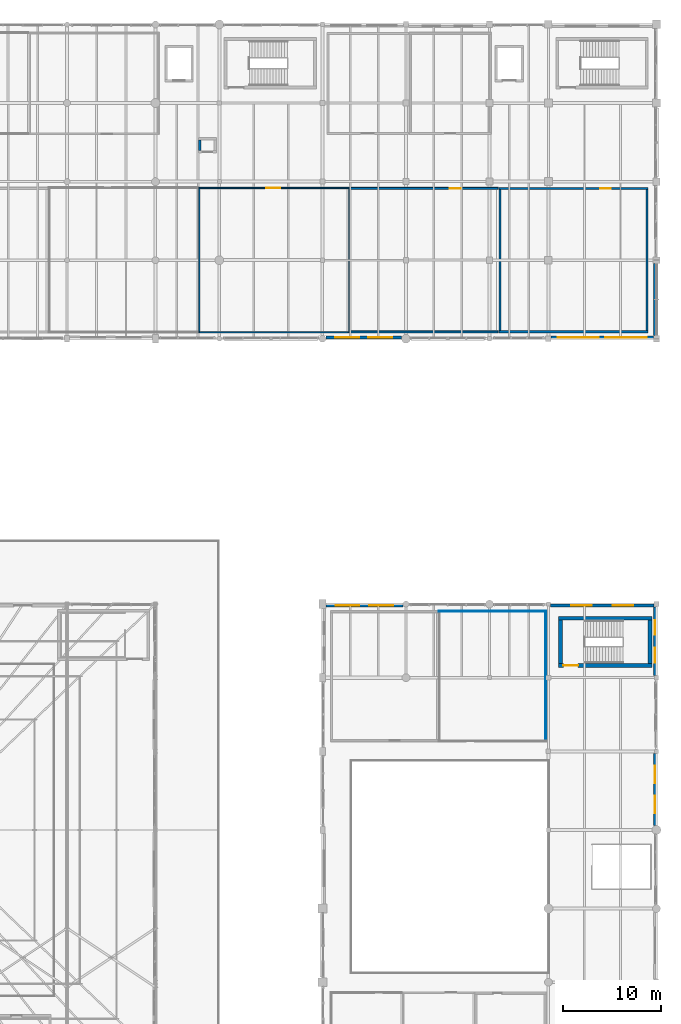
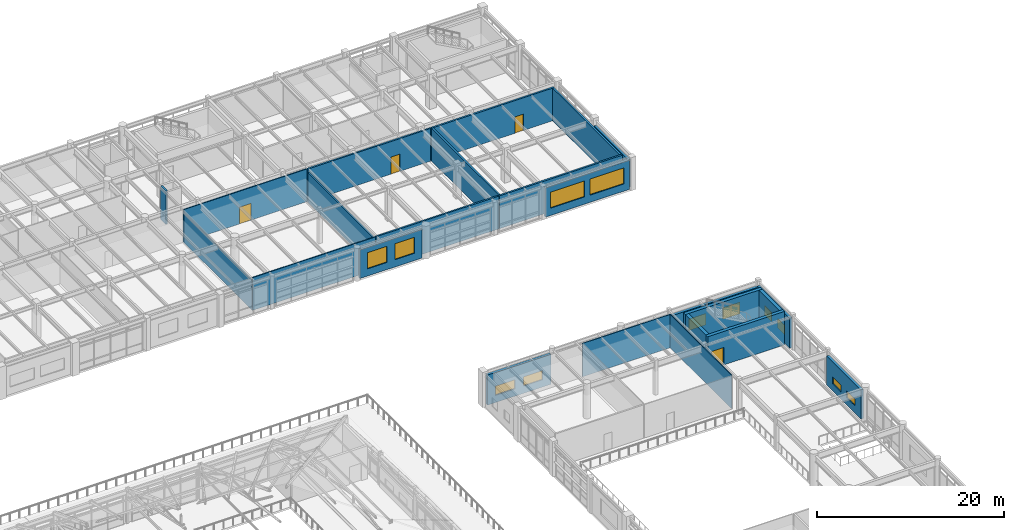
# One storey, part 156 of 168: 24 walls, 12 windows, 4 doors, 16 openings.
"""IFC4 building model written with IfcOpenShell, lengths in metres."""

from ifc_helpers import new_model, si_unit, direction, frame, frame_2d, origin, place, context, subcontext, project, spatial, rectangle, extrude, material, layer, layer_set, type_object, element, fill, save


model = new_model("IFC4")

# Units and contexts
model_context = context("Model", 3, precision=1e-05, world=origin(), true_north=direction((0.0, 1.0)))
body_context = subcontext(model_context, "Body", "Model", "MODEL_VIEW")
ifc_project = project(units=[si_unit("LENGTHUNIT", "METRE"), si_unit("AREAUNIT", "SQUARE_METRE"), si_unit("VOLUMEUNIT", "CUBIC_METRE"), si_unit("PLANEANGLEUNIT", "RADIAN"), si_unit("MASSUNIT", "GRAM", prefix="KILO"), si_unit("THERMODYNAMICTEMPERATUREUNIT", "KELVIN"), si_unit("POWERUNIT", "WATT")], contexts=[model_context])

# Site, building, storey
site_placement = place(None, origin())
site = spatial("IfcSite", under=ifc_project, at=site_placement, CompositionType="ELEMENT")
building_placement = place(site_placement, origin())
building = spatial("IfcBuilding", under=site, at=building_placement, Name="Tepalcoro Natatorium and Aquatics Centre", CompositionType="ELEMENT")
storey_placement = place(building_placement, frame((0.0, 0.0, 10.199951171875)))
storey = spatial("IfcBuildingStorey", under=building, at=storey_placement, Name="L02", CompositionType="ELEMENT", Elevation=10.199951171875)

# Wall, openings, windows
ifc_material_1 = material(Name="Precast Concrete C45/55 (fc 45 MPa)", Category="concrete")
ifc_layer_1 = layer(ifc_material_1, 0.260009765625)
ifc_layer_set_1 = layer_set([ifc_layer_1], Name="Precast Concrete C45/55 (fc 45 MPa)")
wall_type_1 = type_object("IfcWallType", Name="WL_EXT_GABLE_260", PredefinedType="SOLIDWALL", material=ifc_layer_set_1)
wall_1_placement = place(storey_placement, frame((142.35400390625, 86.1298828125, 0.0), z_axis=(0.0, 0.0, 1.0), x_axis=(1.0, 0.0, 0.0)))
wall_1 = element("IfcWall", 1, at=wall_1_placement, inside=storey, type_object=wall_type_1, Name="V5 L02 S Volcanic Basalt Envelope Wall", PredefinedType="SOLIDWALL", context=body_context, shape_type="SweptSolid", body=[
    extrude(rectangle(XDim=7.69189453125, YDim=0.260009765625, at=frame_2d((3.845947265625, 0.0))), origin(), (0.0, 0.0, 1.0), 3.734130859375),
])
opening_1_placement = place(wall_1_placement, frame((0.964111328125, 0.0, 0.949951171875)))
opening_1 = element("IfcOpeningElement", 2, at=opening_1_placement, cuts=wall_1, Name="Opening W0098A", PredefinedType="OPENING", context=body_context, shape_type="SweptSolid", body=[
    extrude(rectangle(XDim=2.39990234375, YDim=2.10009765625, at=frame_2d((1.199951171875, 1.050048828125))), frame((0.0, 0.14208984375, 0.0), z_axis=(0.0, -1.0, 0.0), x_axis=(1.0, 0.0, 0.0)), (0.0, 0.0, 1.0), 0.283935546875),
])
opening_2_placement = place(wall_1_placement, frame((4.327880859375, 0.0, 0.949951171875)))
opening_2 = element("IfcOpeningElement", 3, at=opening_2_placement, cuts=wall_1, Name="Opening W0098B", PredefinedType="OPENING", context=body_context, shape_type="SweptSolid", body=[
    extrude(rectangle(XDim=2.39990234375, YDim=2.10009765625, at=frame_2d((1.199951171875, 1.050048828125))), frame((0.0, 0.14208984375, 0.0), z_axis=(0.0, -1.0, 0.0), x_axis=(1.0, 0.0, 0.0)), (0.0, 0.0, 1.0), 0.283935546875),
])
ifc_material_2 = material(Name="Solar-Control Bronze Tempered Low-E Double Glazing", Category="glass")
window_type_1 = type_object("IfcWindowType", Name="WN_240x210", PartitioningType="SINGLE_PANEL", PredefinedType="WINDOW", material=ifc_material_2)
window_1_placement = place(opening_1_placement, origin())
window_1 = element("IfcWindow", 4, at=window_1_placement, inside=storey, type_object=window_type_1, Name="Exterior Thermal Window WN_240x210", OverallHeight=2.10009765625, OverallWidth=2.39990234375, PartitioningType="SINGLE_PANEL", PredefinedType="WINDOW", context=body_context, shape_type="SweptSolid", body=[
    extrude(rectangle(XDim=2.39990234375, YDim=2.10009765625, at=frame_2d((1.199951171875, 1.050048828125))), frame((0.0, 0.030029296875, 0.0), z_axis=(0.0, -1.0, 0.0), x_axis=(1.0, 0.0, 0.0)), (0.0, 0.0, 1.0), 0.06005859375),
])
fill(opening_1, window_1)
window_2_placement = place(opening_2_placement, origin())
window_2 = element("IfcWindow", 5, at=window_2_placement, inside=storey, type_object=window_type_1, Name="Exterior Thermal Window WN_240x210", OverallHeight=2.10009765625, OverallWidth=2.39990234375, PartitioningType="SINGLE_PANEL", PredefinedType="WINDOW", context=body_context, shape_type="SweptSolid", body=[
    extrude(rectangle(XDim=2.39990234375, YDim=2.10009765625, at=frame_2d((1.199951171875, 1.050048828125))), frame((0.0, 0.030029296875, 0.0), z_axis=(0.0, -1.0, 0.0), x_axis=(1.0, 0.0, 0.0)), (0.0, 0.0, 1.0), 0.06005859375),
])
fill(opening_2, window_2)

ifc_layer_2 = layer(ifc_material_1, 0.284912109375)
ifc_layer_set_2 = layer_set([ifc_layer_2], Name="Precast Concrete C45/55 (fc 45 MPa)")
wall_type_2 = type_object("IfcWallType", Name="WL_EXT_INSUL_280", PredefinedType="SOLIDWALL", material=ifc_layer_set_2)
wall_2_placement = place(storey_placement, frame((165.279052734375, 86.142578125, 0.0), z_axis=(0.0, 0.0, 1.0), x_axis=(1.0, 0.0, 0.0)))
wall_2 = element("IfcWall", 6, at=wall_2_placement, inside=storey, type_object=wall_type_2, Name="V5 L02 S Volcanic Basalt Envelope Wall", PredefinedType="SOLIDWALL", context=body_context, shape_type="SweptSolid", body=[
    extrude(rectangle(XDim=10.391845703125, YDim=0.284912109375, at=frame_2d((5.19580078125, 0.0))), origin(), (0.0, 0.0, 1.0), 3.81005859375),
])
opening_3_placement = place(wall_2_placement, frame((0.6640625, 0.0, 0.949951171875)))
opening_3 = element("IfcOpeningElement", 7, at=opening_3_placement, cuts=wall_2, Name="Opening W0099A", PredefinedType="OPENING", context=body_context, shape_type="SweptSolid", body=[
    extrude(rectangle(XDim=4.199951171875, YDim=2.10009765625, at=frame_2d((2.10009765625, 1.050048828125))), frame((0.0, 0.154296875, 0.0), z_axis=(0.0, -1.0, 0.0), x_axis=(1.0, 0.0, 0.0)), (0.0, 0.0, 1.0), 0.308837890625),
])
opening_4_placement = place(wall_2_placement, frame((5.528076171875, 0.0, 0.949951171875)))
opening_4 = element("IfcOpeningElement", 8, at=opening_4_placement, cuts=wall_2, Name="Opening W0099B", PredefinedType="OPENING", context=body_context, shape_type="SweptSolid", body=[
    extrude(rectangle(XDim=4.199951171875, YDim=2.10009765625, at=frame_2d((2.10009765625, 1.050048828125))), frame((0.0, 0.154296875, 0.0), z_axis=(0.0, -1.0, 0.0), x_axis=(1.0, 0.0, 0.0)), (0.0, 0.0, 1.0), 0.308837890625),
])
window_type_2 = type_object("IfcWindowType", Name="WN_420x210", PartitioningType="SINGLE_PANEL", PredefinedType="WINDOW", material=ifc_material_2)
window_3_placement = place(opening_3_placement, origin())
window_3 = element("IfcWindow", 9, at=window_3_placement, inside=storey, type_object=window_type_2, Name="Exterior Thermal Window WN_420x210", OverallHeight=2.10009765625, OverallWidth=4.199951171875, PartitioningType="SINGLE_PANEL", PredefinedType="WINDOW", context=body_context, shape_type="SweptSolid", body=[
    extrude(rectangle(XDim=4.199951171875, YDim=2.10009765625, at=frame_2d((2.10009765625, 1.050048828125))), frame((0.0, 0.030029296875, 0.0), z_axis=(0.0, -1.0, 0.0), x_axis=(1.0, 0.0, 0.0)), (0.0, 0.0, 1.0), 0.06005859375),
])
fill(opening_3, window_3)
window_4_placement = place(opening_4_placement, origin())
window_4 = element("IfcWindow", 10, at=window_4_placement, inside=storey, type_object=window_type_2, Name="Exterior Thermal Window WN_420x210", OverallHeight=2.10009765625, OverallWidth=4.199951171875, PartitioningType="SINGLE_PANEL", PredefinedType="WINDOW", context=body_context, shape_type="SweptSolid", body=[
    extrude(rectangle(XDim=4.199951171875, YDim=2.10009765625, at=frame_2d((2.10009765625, 1.050048828125))), frame((0.0, 0.030029296875, 0.0), z_axis=(0.0, -1.0, 0.0), x_axis=(1.0, 0.0, 0.0)), (0.0, 0.0, 1.0), 0.06005859375),
])
fill(opening_4, window_4)

ifc_material_3 = material(Name="Jalisco Cantera Rosa Volcanic Tuff Ashlar Masonry", Category="masonry")
ifc_layer_3 = layer(ifc_material_3, 0.320068359375)
ifc_layer_set_3 = layer_set([ifc_layer_3], Name="Jalisco Cantera Rosa Volcanic Tuff Ashlar Masonry")
wall_type_3 = type_object("IfcWallType", Name="WL_EXT_STONE_320", PredefinedType="SOLIDWALL", material=ifc_layer_set_3)
wall_3_placement = place(storey_placement, frame((165.2041015625, 58.840087890625, 0.0), z_axis=(0.0, 0.0, 1.0), x_axis=(1.0, 0.0, 0.0)))
wall_3 = element("IfcWall", 11, at=wall_3_placement, inside=storey, type_object=wall_type_3, Name="V2 L02 N Volcanic Basalt Envelope Wall", PredefinedType="SOLIDWALL", context=body_context, shape_type="SweptSolid", body=[
    extrude(rectangle(XDim=10.5419921875, YDim=0.320068359375, at=frame_2d((5.27099609375, 0.0))), origin(), (0.0, 0.0, 1.0), 3.738037109375),
])
opening_5_placement = place(wall_3_placement, frame((2.114013671875, 0.0, 0.949951171875)))
opening_5 = element("IfcOpeningElement", 12, at=opening_5_placement, cuts=wall_3, Name="Opening W0037A", PredefinedType="OPENING", context=body_context, shape_type="SweptSolid", body=[
    extrude(rectangle(XDim=2.10009765625, YDim=1.5, at=frame_2d((1.050048828125, 0.75))), frame((0.0, 0.171875, 0.0), z_axis=(0.0, -1.0, 0.0), x_axis=(1.0, 0.0, 0.0)), (0.0, 0.0, 1.0), 0.343994140625),
])
opening_6_placement = place(wall_3_placement, frame((6.327880859375, 0.0, 0.949951171875)))
opening_6 = element("IfcOpeningElement", 13, at=opening_6_placement, cuts=wall_3, Name="Opening W0037B", PredefinedType="OPENING", context=body_context, shape_type="SweptSolid", body=[
    extrude(rectangle(XDim=2.10009765625, YDim=1.5, at=frame_2d((1.050048828125, 0.75))), frame((0.0, 0.171875, 0.0), z_axis=(0.0, -1.0, 0.0), x_axis=(1.0, 0.0, 0.0)), (0.0, 0.0, 1.0), 0.343994140625),
])
window_type_3 = type_object("IfcWindowType", Name="WN_210x150", PartitioningType="SINGLE_PANEL", PredefinedType="WINDOW", material=ifc_material_2)
window_5_placement = place(opening_5_placement, origin())
window_5 = element("IfcWindow", 14, at=window_5_placement, inside=storey, type_object=window_type_3, Name="Exterior Thermal Window WN_210x150", OverallHeight=1.5, OverallWidth=2.10009765625, PartitioningType="SINGLE_PANEL", PredefinedType="WINDOW", context=body_context, shape_type="SweptSolid", body=[
    extrude(rectangle(XDim=2.10009765625, YDim=1.5, at=frame_2d((1.050048828125, 0.75))), frame((0.0, 0.030029296875, 0.0), z_axis=(0.0, -1.0, 0.0), x_axis=(1.0, 0.0, 0.0)), (0.0, 0.0, 1.0), 0.06005859375),
])
fill(opening_5, window_5)
window_6_placement = place(opening_6_placement, origin())
window_6 = element("IfcWindow", 15, at=window_6_placement, inside=storey, type_object=window_type_3, Name="Exterior Thermal Window WN_210x150", OverallHeight=1.5, OverallWidth=2.10009765625, PartitioningType="SINGLE_PANEL", PredefinedType="WINDOW", context=body_context, shape_type="SweptSolid", body=[
    extrude(rectangle(XDim=2.10009765625, YDim=1.5, at=frame_2d((1.050048828125, 0.75))), frame((0.0, 0.030029296875, 0.0), z_axis=(0.0, -1.0, 0.0), x_axis=(1.0, 0.0, 0.0)), (0.0, 0.0, 1.0), 0.06005859375),
])
fill(opening_6, window_6)

ifc_layer_4 = layer(ifc_material_3, 0.304931640625)
ifc_layer_set_4 = layer_set([ifc_layer_4], Name="Jalisco Cantera Rosa Volcanic Tuff Ashlar Masonry")
wall_type_4 = type_object("IfcWallType", Name="WL_EXT_TERRACOTTA_300", PredefinedType="SOLIDWALL", material=ifc_layer_set_4)
wall_4_placement = place(storey_placement, frame((142.35400390625, 58.847412109375, 0.0), z_axis=(0.0, 0.0, 1.0), x_axis=(1.0, 0.0, 0.0)))
wall_4 = element("IfcWall", 16, at=wall_4_placement, inside=storey, type_object=wall_type_4, Name="V2 L02 N Volcanic Basalt Envelope Wall", PredefinedType="SOLIDWALL", context=body_context, shape_type="SweptSolid", body=[
    extrude(rectangle(XDim=7.842041015625, YDim=0.304931640625, at=frame_2d((3.9208984375, 0.0))), origin(), (0.0, 0.0, 1.0), 3.93701171875),
])
opening_7_placement = place(wall_4_placement, frame((1.013916015625, 0.0, 0.949951171875)))
opening_7 = element("IfcOpeningElement", 17, at=opening_7_placement, cuts=wall_4, Name="Opening W0036A", PredefinedType="OPENING", context=body_context, shape_type="SweptSolid", body=[
    extrude(rectangle(XDim=2.39990234375, YDim=1.199951171875, at=frame_2d((1.199951171875, 0.60009765625))), frame((0.0, 0.16455078125, 0.0), z_axis=(0.0, -1.0, 0.0), x_axis=(1.0, 0.0, 0.0)), (0.0, 0.0, 1.0), 0.328857421875),
])
opening_8_placement = place(wall_4_placement, frame((4.427978515625, 0.0, 0.949951171875)))
opening_8 = element("IfcOpeningElement", 18, at=opening_8_placement, cuts=wall_4, Name="Opening W0036B", PredefinedType="OPENING", context=body_context, shape_type="SweptSolid", body=[
    extrude(rectangle(XDim=2.39990234375, YDim=1.199951171875, at=frame_2d((1.199951171875, 0.60009765625))), frame((0.0, 0.16455078125, 0.0), z_axis=(0.0, -1.0, 0.0), x_axis=(1.0, 0.0, 0.0)), (0.0, 0.0, 1.0), 0.328857421875),
])
window_type_4 = type_object("IfcWindowType", Name="WN_240x120", PartitioningType="SINGLE_PANEL", PredefinedType="WINDOW", material=ifc_material_2)
window_7_placement = place(opening_7_placement, origin())
window_7 = element("IfcWindow", 19, at=window_7_placement, inside=storey, type_object=window_type_4, Name="Exterior Thermal Window WN_240x120", OverallHeight=1.199951171875, OverallWidth=2.39990234375, PartitioningType="SINGLE_PANEL", PredefinedType="WINDOW", context=body_context, shape_type="SweptSolid", body=[
    extrude(rectangle(XDim=2.39990234375, YDim=1.199951171875, at=frame_2d((1.199951171875, 0.60009765625))), frame((0.0, 0.030029296875, 0.0), z_axis=(0.0, -1.0, 0.0), x_axis=(1.0, 0.0, 0.0)), (0.0, 0.0, 1.0), 0.06005859375),
])
fill(opening_7, window_7)
window_8_placement = place(opening_8_placement, origin())
window_8 = element("IfcWindow", 20, at=window_8_placement, inside=storey, type_object=window_type_4, Name="Exterior Thermal Window WN_240x120", OverallHeight=1.199951171875, OverallWidth=2.39990234375, PartitioningType="SINGLE_PANEL", PredefinedType="WINDOW", context=body_context, shape_type="SweptSolid", body=[
    extrude(rectangle(XDim=2.39990234375, YDim=1.199951171875, at=frame_2d((1.199951171875, 0.60009765625))), frame((0.0, 0.030029296875, 0.0), z_axis=(0.0, -1.0, 0.0), x_axis=(1.0, 0.0, 0.0)), (0.0, 0.0, 1.0), 0.06005859375),
])
fill(opening_8, window_8)

wall_5_placement = place(storey_placement, frame((175.847412109375, 36.4541015625, 0.0), z_axis=(0.0, 0.0, 1.0), x_axis=(0.0, 1.0, 0.0)))
wall_5 = element("IfcWall", 21, at=wall_5_placement, inside=storey, type_object=wall_type_4, Name="V2 L02 E Volcanic Basalt Envelope Wall", PredefinedType="SOLIDWALL", context=body_context, shape_type="SweptSolid", body=[
    extrude(rectangle(XDim=7.341796875, YDim=0.304931640625, at=frame_2d((3.6708984375, 0.0))), origin(), (0.0, 0.0, 1.0), 3.81396484375),
])
opening_9_placement = place(wall_5_placement, frame((1.247314453125, 0.0, 0.949951171875)))
opening_9 = element("IfcOpeningElement", 22, at=opening_9_placement, cuts=wall_5, Name="Opening W0042A", PredefinedType="OPENING", context=body_context, shape_type="SweptSolid", body=[
    extrude(rectangle(XDim=1.800048828125, YDim=0.89990234375, at=frame_2d((0.89990234375, 0.449951171875))), frame((0.0, 0.16455078125, 0.0), z_axis=(0.0, -1.0, 0.0), x_axis=(1.0, 0.0, 0.0)), (0.0, 0.0, 1.0), 0.328857421875),
])
opening_10_placement = place(wall_5_placement, frame((4.294677734375, 0.0, 0.949951171875)))
opening_10 = element("IfcOpeningElement", 23, at=opening_10_placement, cuts=wall_5, Name="Opening W0042B", PredefinedType="OPENING", context=body_context, shape_type="SweptSolid", body=[
    extrude(rectangle(XDim=1.800048828125, YDim=0.89990234375, at=frame_2d((0.89990234375, 0.449951171875))), frame((0.0, 0.16455078125, 0.0), z_axis=(0.0, -1.0, 0.0), x_axis=(1.0, 0.0, 0.0)), (0.0, 0.0, 1.0), 0.328857421875),
])
window_type_5 = type_object("IfcWindowType", Name="WN_180x090_CLER", PartitioningType="SINGLE_PANEL", PredefinedType="WINDOW", material=ifc_material_2)
window_9_placement = place(opening_9_placement, origin())
window_9 = element("IfcWindow", 24, at=window_9_placement, inside=storey, type_object=window_type_5, Name="Exterior Thermal Window WN_180x090_CLER", OverallHeight=0.89990234375, OverallWidth=1.800048828125, PartitioningType="SINGLE_PANEL", PredefinedType="WINDOW", context=body_context, shape_type="SweptSolid", body=[
    extrude(rectangle(XDim=1.800048828125, YDim=0.89990234375, at=frame_2d((0.89990234375, 0.449951171875))), frame((0.0, 0.030029296875, 0.0), z_axis=(0.0, -1.0, 0.0), x_axis=(1.0, 0.0, 0.0)), (0.0, 0.0, 1.0), 0.06005859375),
])
fill(opening_9, window_9)
window_10_placement = place(opening_10_placement, origin())
window_10 = element("IfcWindow", 25, at=window_10_placement, inside=storey, type_object=window_type_5, Name="Exterior Thermal Window WN_180x090_CLER", OverallHeight=0.89990234375, OverallWidth=1.800048828125, PartitioningType="SINGLE_PANEL", PredefinedType="WINDOW", context=body_context, shape_type="SweptSolid", body=[
    extrude(rectangle(XDim=1.800048828125, YDim=0.89990234375, at=frame_2d((0.89990234375, 0.449951171875))), frame((0.0, 0.030029296875, 0.0), z_axis=(0.0, -1.0, 0.0), x_axis=(1.0, 0.0, 0.0)), (0.0, 0.0, 1.0), 0.06005859375),
])
fill(opening_10, window_10)

wall_6_placement = place(storey_placement, frame((175.847412109375, 51.72900390625, 0.0), z_axis=(0.0, 0.0, 1.0), x_axis=(0.0, 1.0, 0.0)))
wall_6 = element("IfcWall", 26, at=wall_6_placement, inside=storey, type_object=wall_type_4, Name="V2 L02 E Volcanic Basalt Envelope Wall", PredefinedType="SOLIDWALL", context=body_context, shape_type="SweptSolid", body=[
    extrude(rectangle(XDim=6.947021484375, YDim=0.304931640625, at=frame_2d((3.4736328125, 0.0))), origin(), (0.0, 0.0, 1.0), 3.93701171875),
])
opening_11_placement = place(wall_6_placement, frame((1.315673828125, 0.0, 0.949951171875)))
opening_11 = element("IfcOpeningElement", 27, at=opening_11_placement, cuts=wall_6, Name="Opening W0043A", PredefinedType="OPENING", context=body_context, shape_type="SweptSolid", body=[
    extrude(rectangle(XDim=1.5, YDim=1.199951171875, at=frame_2d((0.75, 0.60009765625))), frame((0.0, 0.16455078125, 0.0), z_axis=(0.0, -1.0, 0.0), x_axis=(1.0, 0.0, 0.0)), (0.0, 0.0, 1.0), 0.328857421875),
])
opening_12_placement = place(wall_6_placement, frame((4.13134765625, 0.0, 0.949951171875)))
opening_12 = element("IfcOpeningElement", 28, at=opening_12_placement, cuts=wall_6, Name="Opening W0043B", PredefinedType="OPENING", context=body_context, shape_type="SweptSolid", body=[
    extrude(rectangle(XDim=1.5, YDim=1.199951171875, at=frame_2d((0.75, 0.60009765625))), frame((0.0, 0.16455078125, 0.0), z_axis=(0.0, -1.0, 0.0), x_axis=(1.0, 0.0, 0.0)), (0.0, 0.0, 1.0), 0.328857421875),
])
window_type_6 = type_object("IfcWindowType", Name="WN_150x120", PartitioningType="SINGLE_PANEL", PredefinedType="WINDOW", material=ifc_material_2)
window_11_placement = place(opening_11_placement, origin())
window_11 = element("IfcWindow", 29, at=window_11_placement, inside=storey, type_object=window_type_6, Name="Exterior Thermal Window WN_150x120", OverallHeight=1.199951171875, OverallWidth=1.5, PartitioningType="SINGLE_PANEL", PredefinedType="WINDOW", context=body_context, shape_type="SweptSolid", body=[
    extrude(rectangle(XDim=1.5, YDim=1.199951171875, at=frame_2d((0.75, 0.60009765625))), frame((0.0, 0.030029296875, 0.0), z_axis=(0.0, -1.0, 0.0), x_axis=(1.0, 0.0, 0.0)), (0.0, 0.0, 1.0), 0.06005859375),
])
fill(opening_11, window_11)
window_12_placement = place(opening_12_placement, origin())
window_12 = element("IfcWindow", 30, at=window_12_placement, inside=storey, type_object=window_type_6, Name="Exterior Thermal Window WN_150x120", OverallHeight=1.199951171875, OverallWidth=1.5, PartitioningType="SINGLE_PANEL", PredefinedType="WINDOW", context=body_context, shape_type="SweptSolid", body=[
    extrude(rectangle(XDim=1.5, YDim=1.199951171875, at=frame_2d((0.75, 0.60009765625))), frame((0.0, 0.030029296875, 0.0), z_axis=(0.0, -1.0, 0.0), x_axis=(1.0, 0.0, 0.0)), (0.0, 0.0, 1.0), 0.06005859375),
])
fill(opening_12, window_12)

# Walls
wall_7_placement = place(storey_placement, frame((175.847412109375, 86.3291015625, 0.0), z_axis=(0.0, 0.0, 1.0), x_axis=(0.0, 1.0, 0.0)))
element("IfcWall", 31, at=wall_7_placement, inside=storey, type_object=wall_type_4, Name="V5 L02 E Volcanic Basalt Envelope Wall", PredefinedType="SOLIDWALL", context=body_context, shape_type="SweptSolid", body=[
    extrude(rectangle(XDim=7.31689453125, YDim=0.304931640625, at=frame_2d((3.658447265625, 0.0))), origin(), (0.0, 0.0, 1.0), 3.657958984375),
])
ifc_material_4 = material(Name="Moisture-Resistant Acoustic Gypsum Drywall on Cold-Formed Metal Studs")
ifc_layer_5 = layer(ifc_material_4, 0.10009765625)
ifc_layer_set_5 = layer_set([ifc_layer_5], Name="Moisture-Resistant Acoustic Gypsum Drywall on Cold-Formed Metal Studs")
wall_type_5 = type_object("IfcWallType", Name="WL_PART_100", PredefinedType="PARTITIONING", material=ifc_layer_set_5)
wall_8_placement = place(storey_placement, frame((153.840087890625, 58.25, 0.0), z_axis=(0.0, 0.0, 1.0), x_axis=(1.0, 0.0, 0.0)))
element("IfcWall", 32, at=wall_8_placement, inside=storey, type_object=wall_type_5, Name="Diving Sports Psychology & Quiet Focus Room Partition N", PredefinedType="PARTITIONING", context=body_context, shape_type="SweptSolid", body=[
    extrude(rectangle(XDim=10.919921875, YDim=0.10009765625, at=frame_2d((5.4599609375, 0.0))), origin(), (0.0, 0.0, 1.0), 4.364990234375),
])
wall_9_placement = place(storey_placement, frame((164.7099609375, 45.10009765625, 0.0), z_axis=(0.0, 0.0, 1.0), x_axis=(0.0, 1.0, 0.0)))
element("IfcWall", 33, at=wall_9_placement, inside=storey, type_object=wall_type_5, Name="Diving Sports Psychology & Quiet Focus Room Partition E", PredefinedType="PARTITIONING", context=body_context, shape_type="SweptSolid", body=[
    extrude(rectangle(XDim=13.099853515625, YDim=0.10009765625, at=frame_2d((6.5498046875, 0.0))), origin(), (0.0, 0.0, 1.0), 4.364990234375),
])
ifc_layer_6 = layer(ifc_material_4, 0.125)
ifc_layer_set_6 = layer_set([ifc_layer_6], Name="Moisture-Resistant Acoustic Gypsum Drywall on Cold-Formed Metal Studs")
wall_type_6 = type_object("IfcWallType", Name="WL_PART_125", PredefinedType="PARTITIONING", material=ifc_layer_set_6)
wall_10_placement = place(storey_placement, frame((129.39990234375, 86.66259765625, 0.0), z_axis=(0.0, 0.0, 1.0), x_axis=(1.0, 0.0, 0.0)))
element("IfcWall", 34, at=wall_10_placement, inside=storey, type_object=wall_type_6, Name="VIP Federation Delegates Dining Salon Partition S", PredefinedType="PARTITIONING", context=body_context, shape_type="SweptSolid", body=[
    extrude(rectangle(XDim=15.2001953125, YDim=0.125, at=frame_2d((7.60009765625, 0.0))), origin(), (0.0, 0.0, 1.0), 4.28515625),
])

# Wall, opening, door
wall_11_placement = place(storey_placement, frame((129.39990234375, 101.33740234375, 0.0), z_axis=(0.0, 0.0, 1.0), x_axis=(1.0, 0.0, 0.0)))
wall_11 = element("IfcWall", 35, at=wall_11_placement, inside=storey, type_object=wall_type_6, Name="VIP Federation Delegates Dining Salon Partition N", PredefinedType="PARTITIONING", context=body_context, shape_type="SweptSolid", body=[
    extrude(rectangle(XDim=15.2001953125, YDim=0.125, at=frame_2d((7.60009765625, 0.0))), origin(), (0.0, 0.0, 1.0), 4.28515625),
])
opening_13_placement = place(wall_11_placement, frame((6.89990234375, 0.0, 0.0)))
opening_13 = element("IfcOpeningElement", 36, at=opening_13_placement, cuts=wall_11, Name="Opening D0170", PredefinedType="OPENING", context=body_context, shape_type="SweptSolid", body=[
    extrude(rectangle(XDim=1.39990234375, YDim=2.199951171875, at=frame_2d((0.699951171875, 1.10009765625))), frame((0.0, 0.074462890625, 0.0), z_axis=(0.0, -1.0, 0.0), x_axis=(1.0, 0.0, 0.0)), (0.0, 0.0, 1.0), 0.14892578125),
])
ifc_material_5 = material(Name="Solid-Core Moisture-Sealed Oak Timber Leaf in Aluminium Frame", Category="wood")
door_type_1 = type_object("IfcDoorType", Name="DR_140x220_TEAM", OperationType="NOTDEFINED", PredefinedType="DOOR", material=ifc_material_5)
door_1_placement = place(opening_13_placement, frame((1.39990234375, 0.0, 0.0), z_axis=(0.0, 0.0, 1.0), x_axis=(-1.0, 0.0, 0.0)))
door_1 = element("IfcDoor", 37, at=door_1_placement, inside=storey, type_object=door_type_1, Name="VIP Federation Delegates Dining Salon Door", OperationType="DOUBLE_DOOR_SINGLE_SWING", OverallHeight=2.199951171875, OverallWidth=1.39990234375, PredefinedType="DOOR", context=body_context, shape_type="SweptSolid", body=[
    extrude(rectangle(XDim=1.39990234375, YDim=2.199951171875, at=frame_2d((0.699951171875, 1.10009765625))), frame((0.0, 0.02490234375, 0.0), z_axis=(0.0, -1.0, 0.0), x_axis=(1.0, 0.0, 0.0)), (0.0, 0.0, 1.0), 0.050048828125),
])
fill(opening_13, door_1)

# Walls
wall_12_placement = place(storey_placement, frame((129.46240234375, 86.72509765625, 0.0), z_axis=(0.0, 0.0, 1.0), x_axis=(0.0, 1.0, 0.0)))
element("IfcWall", 38, at=wall_12_placement, inside=storey, type_object=wall_type_6, Name="VIP Federation Delegates Dining Salon Partition W", PredefinedType="PARTITIONING", context=body_context, shape_type="SweptSolid", body=[
    extrude(rectangle(XDim=14.5498046875, YDim=0.125, at=frame_2d((7.27490234375, 0.0))), origin(), (0.0, 0.0, 1.0), 3.860107421875),
])
ifc_material_6 = material(Name="Ceramic-Tiled Moisture-Resistant Masonry Blockwork", Category="masonry")
ifc_layer_7 = layer(ifc_material_6, 0.199951171875)
ifc_layer_set_7 = layer_set([ifc_layer_7], Name="Ceramic-Tiled Moisture-Resistant Masonry Blockwork")
wall_type_7 = type_object("IfcWallType", Name="WL_PLUMB_200", PredefinedType="PLUMBINGWALL", material=ifc_layer_set_7)
wall_13_placement = place(storey_placement, frame((144.679931640625, 86.699951171875, 0.0), z_axis=(0.0, 0.0, 1.0), x_axis=(1.0, 0.0, 0.0)))
element("IfcWall", 39, at=wall_13_placement, inside=storey, type_object=wall_type_7, Name="Thermal Spa Massage & Hydro-Jet Treatment Suites Partition S", PredefinedType="PLUMBINGWALL", context=body_context, shape_type="SweptSolid", body=[
    extrude(rectangle(XDim=15.199951171875, YDim=0.199951171875, at=frame_2d((7.60009765625, 0.0))), origin(), (0.0, 0.0, 1.0), 4.28515625),
])

# Wall, opening, door
wall_14_placement = place(storey_placement, frame((144.679931640625, 101.300048828125, 0.0), z_axis=(0.0, 0.0, 1.0), x_axis=(1.0, 0.0, 0.0)))
wall_14 = element("IfcWall", 40, at=wall_14_placement, inside=storey, type_object=wall_type_7, Name="Thermal Spa Massage & Hydro-Jet Treatment Suites Partition N", PredefinedType="PLUMBINGWALL", context=body_context, shape_type="SweptSolid", body=[
    extrude(rectangle(XDim=15.199951171875, YDim=0.199951171875, at=frame_2d((7.60009765625, 0.0))), origin(), (0.0, 0.0, 1.0), 4.28515625),
])
opening_14_placement = place(wall_14_placement, frame((10.300048828125, 0.0, 0.0)))
opening_14 = element("IfcOpeningElement", 41, at=opening_14_placement, cuts=wall_14, Name="Opening D0171", PredefinedType="OPENING", context=body_context, shape_type="SweptSolid", body=[
    extrude(rectangle(XDim=1.10009765625, YDim=2.25, at=frame_2d((0.550048828125, 1.125))), frame((0.0, 0.11181640625, 0.0), z_axis=(0.0, -1.0, 0.0), x_axis=(1.0, 0.0, 0.0)), (0.0, 0.0, 1.0), 0.223876953125),
])
door_type_2 = type_object("IfcDoorType", Name="DR_110x225", OperationType="NOTDEFINED", PredefinedType="DOOR", material=ifc_material_5)
door_2_placement = place(opening_14_placement, frame((1.10009765625, 0.0, 0.0), z_axis=(0.0, 0.0, 1.0), x_axis=(-1.0, 0.0, 0.0)))
door_2 = element("IfcDoor", 42, at=door_2_placement, inside=storey, type_object=door_type_2, Name="Thermal Spa Massage & Hydro-Jet Treatment Suites Door", OperationType="SINGLE_SWING_RIGHT", OverallHeight=2.25, OverallWidth=1.10009765625, PredefinedType="DOOR", context=body_context, shape_type="SweptSolid", body=[
    extrude(rectangle(XDim=1.10009765625, YDim=2.25, at=frame_2d((0.550048828125, 1.125))), frame((0.0, 0.02490234375, 0.0), z_axis=(0.0, -1.0, 0.0), x_axis=(1.0, 0.0, 0.0)), (0.0, 0.0, 1.0), 0.050048828125),
])
fill(opening_14, door_2)

# Walls
wall_15_placement = place(storey_placement, frame((144.780029296875, 86.800048828125, 0.0), z_axis=(0.0, 0.0, 1.0), x_axis=(0.0, 1.0, 0.0)))
element("IfcWall", 43, at=wall_15_placement, inside=storey, type_object=wall_type_7, Name="Thermal Spa Massage & Hydro-Jet Treatment Suites Partition W", PredefinedType="PLUMBINGWALL", context=body_context, shape_type="SweptSolid", body=[
    extrude(rectangle(XDim=14.39990234375, YDim=0.199951171875, at=frame_2d((7.199951171875, 0.0))), origin(), (0.0, 0.0, 1.0), 3.81494140625),
])
ifc_layer_8 = layer(ifc_material_6, 0.219970703125)
ifc_layer_set_8 = layer_set([ifc_layer_8], Name="Ceramic-Tiled Moisture-Resistant Masonry Blockwork")
wall_type_8 = type_object("IfcWallType", Name="WL_PLUMB_220", PredefinedType="PLUMBINGWALL", material=ifc_layer_set_8)
wall_16_placement = place(storey_placement, frame((159.9599609375, 86.7099609375, 0.0), z_axis=(0.0, 0.0, 1.0), x_axis=(1.0, 0.0, 0.0)))
element("IfcWall", 44, at=wall_16_placement, inside=storey, type_object=wall_type_8, Name="L02 Spa & Broadcast Male/Female & Accessible WC Partition S", PredefinedType="PLUMBINGWALL", context=body_context, shape_type="SweptSolid", body=[
    extrude(rectangle(XDim=15.199951171875, YDim=0.219970703125, at=frame_2d((7.60009765625, 0.0))), origin(), (0.0, 0.0, 1.0), 4.28515625),
])

# Wall, opening, door
wall_17_placement = place(storey_placement, frame((159.9599609375, 101.2900390625, 0.0), z_axis=(0.0, 0.0, 1.0), x_axis=(1.0, 0.0, 0.0)))
wall_17 = element("IfcWall", 45, at=wall_17_placement, inside=storey, type_object=wall_type_8, Name="L02 Spa & Broadcast Male/Female & Accessible WC Partition N", PredefinedType="PLUMBINGWALL", context=body_context, shape_type="SweptSolid", body=[
    extrude(rectangle(XDim=15.199951171875, YDim=0.219970703125, at=frame_2d((7.60009765625, 0.0))), origin(), (0.0, 0.0, 1.0), 4.28515625),
])
opening_15_placement = place(wall_17_placement, frame((10.33740234375, 0.0, 0.0)))
opening_15 = element("IfcOpeningElement", 46, at=opening_15_placement, cuts=wall_17, Name="Opening D0172", PredefinedType="OPENING", context=body_context, shape_type="SweptSolid", body=[
    extrude(rectangle(XDim=1.050048828125, YDim=2.14990234375, at=frame_2d((0.52490234375, 1.074951171875))), frame((0.0, 0.1220703125, 0.0), z_axis=(0.0, -1.0, 0.0), x_axis=(1.0, 0.0, 0.0)), (0.0, 0.0, 1.0), 0.243896484375),
])
door_type_3 = type_object("IfcDoorType", Name="DR_105x215_ACC", OperationType="NOTDEFINED", PredefinedType="DOOR", material=ifc_material_5)
door_3_placement = place(opening_15_placement, frame((1.050048828125, 0.0, 0.0), z_axis=(0.0, 0.0, 1.0), x_axis=(-1.0, 0.0, 0.0)))
door_3 = element("IfcDoor", 47, at=door_3_placement, inside=storey, type_object=door_type_3, Name="L02 Spa & Broadcast Male/Female & Accessible WC Door", OperationType="SINGLE_SWING_LEFT", OverallHeight=2.14990234375, OverallWidth=1.050048828125, PredefinedType="DOOR", context=body_context, shape_type="SweptSolid", body=[
    extrude(rectangle(XDim=1.050048828125, YDim=2.14990234375, at=frame_2d((0.52490234375, 1.074951171875))), frame((0.0, 0.02490234375, 0.0), z_axis=(0.0, -1.0, 0.0), x_axis=(1.0, 0.0, 0.0)), (0.0, 0.0, 1.0), 0.050048828125),
])
fill(opening_15, door_3)

# Walls
for number, where, z_axis, x_axis, name in (
    (48, (175.050048828125, 86.820068359375, 0.0), (0.0, 0.0, 1.0), (0.0, 1.0, 0.0), "L02 Spa & Broadcast Male/Female & Accessible WC Partition E"),
    (49, (160.070068359375, 86.820068359375, 0.0), (0.0, 0.0, 1.0), (0.0, 1.0, 0.0), "L02 Spa & Broadcast Male/Female & Accessible WC Partition W"),
):
    element("IfcWall", number, at=place(storey_placement, frame(where, z_axis=z_axis, x_axis=x_axis)), inside=storey, type_object=wall_type_8, Name=name, PredefinedType="PLUMBINGWALL", context=body_context, shape_type="SweptSolid", body=[
        extrude(rectangle(XDim=14.35986328125, YDim=0.219970703125, at=frame_2d((7.179931640625, 0.0))), origin(), (0.0, 0.0, 1.0), 4.28515625),
    ])

# Wall, opening, door
ifc_material_7 = material(Name="Concrete C40/50 (fc 40 MPa)", Category="concrete")
ifc_layer_9 = layer(ifc_material_7, 0.39990234375)
ifc_layer_set_9 = layer_set([ifc_layer_9], Name="Concrete C40/50 (fc 40 MPa)")
wall_type_9 = type_object("IfcWallType", Name="WL_SHEAR_400", PredefinedType="SHEAR", material=ifc_layer_set_9)
wall_18_placement = place(storey_placement, frame((166.050048828125, 52.75, 0.0), z_axis=(0.0, 0.0, 1.0), x_axis=(1.0, 0.0, 0.0)))
wall_18 = element("IfcWall", 50, at=wall_18_placement, inside=storey, type_object=wall_type_9, Name="ST04 Core Shear Wall S L02", PredefinedType="SHEAR", context=body_context, shape_type="SweptSolid", body=[
    extrude(rectangle(XDim=9.5, YDim=0.39990234375, at=frame_2d((4.75, 0.0))), origin(), (0.0, 0.0, 1.0), 4.380126953125),
])
opening_16_placement = place(wall_18_placement, frame((0.47998046875, 0.0, 0.0)))
opening_16 = element("IfcOpeningElement", 51, at=opening_16_placement, cuts=wall_18, Name="Opening D0019", PredefinedType="OPENING", context=body_context, shape_type="SweptSolid", body=[
    extrude(rectangle(XDim=1.5, YDim=2.300048828125, at=frame_2d((0.75, 1.14990234375))), frame((0.0, 0.2119140625, 0.0), z_axis=(0.0, -1.0, 0.0), x_axis=(1.0, 0.0, 0.0)), (0.0, 0.0, 1.0), 0.423828125),
])
ifc_material_8 = material(Name="Galvanised Steel Insulated Acoustic Fire Door Assembly", Category="steel")
door_type_4 = type_object("IfcDoorType", Name="DR_150x230_FD60", OperationType="NOTDEFINED", PredefinedType="DOOR", material=ifc_material_8)
door_4_placement = place(opening_16_placement, origin())
door_4 = element("IfcDoor", 52, at=door_4_placement, inside=storey, type_object=door_type_4, Name="ST04 Fire Stair Door (L02)", OperationType="DOUBLE_DOOR_SINGLE_SWING", OverallHeight=2.300048828125, OverallWidth=1.5, PredefinedType="DOOR", context=body_context, shape_type="SweptSolid", body=[
    extrude(rectangle(XDim=1.5, YDim=2.300048828125, at=frame_2d((0.75, 1.14990234375))), frame((0.0, 0.02490234375, 0.0), z_axis=(0.0, -1.0, 0.0), x_axis=(1.0, 0.0, 0.0)), (0.0, 0.0, 1.0), 0.050048828125),
])
fill(opening_16, door_4)

# Walls
wall_19_placement = place(storey_placement, frame((166.050048828125, 57.550048828125, 0.0), z_axis=(0.0, 0.0, 1.0), x_axis=(1.0, 0.0, 0.0)))
element("IfcWall", 53, at=wall_19_placement, inside=storey, type_object=wall_type_9, Name="ST04 Core Shear Wall N L02", PredefinedType="SHEAR", context=body_context, shape_type="SweptSolid", body=[
    extrude(rectangle(XDim=9.5, YDim=0.39990234375, at=frame_2d((4.75, 0.0))), origin(), (0.0, 0.0, 1.0), 4.380126953125),
])
for number, where, z_axis, x_axis, name in (
    (54, (166.25, 52.949951171875, 0.0), (0.0, 0.0, 1.0), (0.0, 1.0, 0.0), "ST04 Core Shear Wall W L02"),
    (55, (175.35009765625, 52.949951171875, 0.0), (0.0, 0.0, 1.0), (0.0, 1.0, 0.0), "ST04 Core Shear Wall E L02"),
):
    element("IfcWall", number, at=place(storey_placement, frame(where, z_axis=z_axis, x_axis=x_axis)), inside=storey, type_object=wall_type_9, Name=name, PredefinedType="SHEAR", context=body_context, shape_type="SweptSolid", body=[
        extrude(rectangle(XDim=4.400146484375, YDim=0.39990234375, at=frame_2d((2.2001953125, 0.0))), origin(), (0.0, 0.0, 1.0), 4.380126953125),
    ])
ifc_material_9 = material(Name="Concrete C35/45 (fc 35 MPa)", Category="concrete")
ifc_layer_10 = layer(ifc_material_9, 0.2451171875)
ifc_layer_set_10 = layer_set([ifc_layer_10], Name="Concrete C35/45 (fc 35 MPa)")
wall_type_10 = type_object("IfcWallType", Name="WL_SOLID_240_FR120", PredefinedType="SOLIDWALL", material=ifc_layer_set_10)
wall_20_placement = place(storey_placement, frame((129.5224609375, 105.14501953125, 0.0), z_axis=(0.0, 0.0, 1.0), x_axis=(0.0, 1.0, 0.0)))
element("IfcWall", 56, at=wall_20_placement, inside=storey, type_object=wall_type_10, Name="V5 L02 MEP Switchgear & Telecom Closet Partition W", PredefinedType="SOLIDWALL", context=body_context, shape_type="SweptSolid", body=[
    extrude(rectangle(XDim=1.10986328125, YDim=0.2451171875, at=frame_2d((0.554931640625, 0.0))), origin(), (0.0, 0.0, 1.0), 4.364990234375),
])

save(model, "model.ifc")
